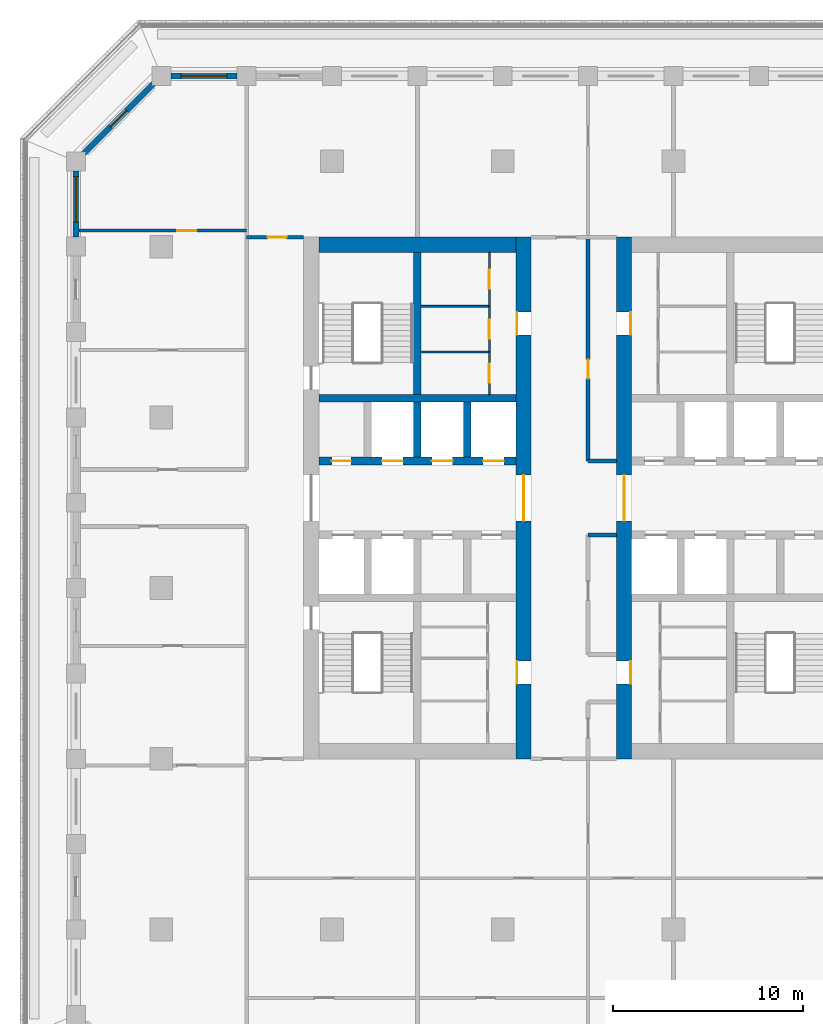
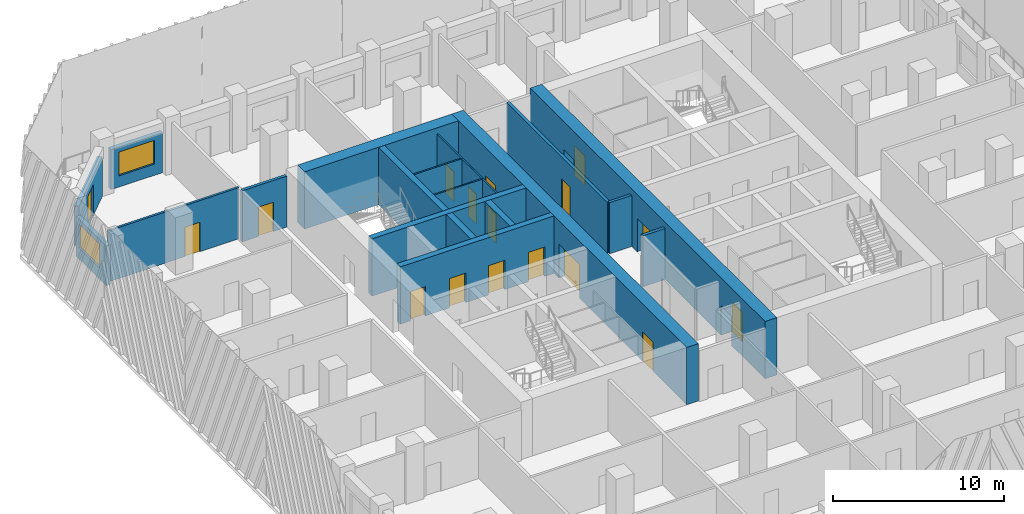
# One storey, part 6 of 17: 21 walls, 17 doors, 2 windows, 19 openings.
"""IFC4 building model written with IfcOpenShell, lengths in metres."""

from ifc_helpers import new_model, si_unit, direction, frame, frame_2d, origin, place, context, subcontext, project, spatial, rectangle, extrude, material, layer, layer_set, type_object, element, fill, save


model = new_model("IFC4")

# Units and contexts
model_context = context("Model", 3, precision=1e-05, world=origin(), true_north=direction((0.0, 1.0)))
body_context = subcontext(model_context, "Body", "Model", "MODEL_VIEW")
ifc_project = project(units=[si_unit("LENGTHUNIT", "METRE"), si_unit("AREAUNIT", "SQUARE_METRE"), si_unit("VOLUMEUNIT", "CUBIC_METRE"), si_unit("PLANEANGLEUNIT", "RADIAN"), si_unit("MASSUNIT", "GRAM", prefix="KILO")], contexts=[model_context])

# Site, building, storey
site_placement = place(None, origin())
site = spatial("IfcSite", under=ifc_project, at=site_placement, CompositionType="ELEMENT")
building_placement = place(site_placement, origin())
building = spatial("IfcBuilding", under=site, at=building_placement, Name="Corbel Stack Research Tower", CompositionType="ELEMENT")
storey_placement = place(building_placement, frame((0.0, 0.0, 207.89990234375)))
storey = spatial("IfcBuildingStorey", under=building, at=storey_placement, Name="L47", CompositionType="ELEMENT", Elevation=207.89990234375)

# Wall, openings, doors
ifc_material_1 = material(Name="Concrete C60/75", Category="concrete")
ifc_layer_1 = layer(ifc_material_1, 0.39990234375)
ifc_layer_set_1 = layer_set([ifc_layer_1], Name="Concrete C60/75")
wall_type_1 = type_object("IfcWallType", Name="CW-400-60", PredefinedType="SHEAR", material=ifc_layer_set_1)
wall_1_placement = place(storey_placement, frame((-9.699951171875, 6.699951171875, 0.0), z_axis=(0.0, 0.0, 1.0), x_axis=(1.0, 0.0, 0.0)))
wall_1 = element("IfcWall", 1, at=wall_1_placement, inside=storey, type_object=wall_type_1, Name="West core wall, lobby north L47", PredefinedType="SHEAR", context=body_context, shape_type="SweptSolid", body=[
    extrude(rectangle(XDim=10.39990234375, YDim=0.39990234375, at=frame_2d((5.199951171875, 0.0))), origin(), (0.0, 0.0, 1.0), 4.10009765625),
])
opening_1_placement = place(wall_1_placement, frame((3.33740234375, 0.0, 0.0)))
opening_1 = element("IfcOpeningElement", 2, at=opening_1_placement, cuts=wall_1, Name="Opening LD-HR1", PredefinedType="OPENING", context=body_context, shape_type="SweptSolid", body=[
    extrude(rectangle(XDim=1.10009765625, YDim=2.10009765625, at=frame_2d((0.550048828125, 1.050048828125))), frame((0.0, 0.2099609375, 0.0), z_axis=(0.0, -1.0, 0.0), x_axis=(1.0, 0.0, 0.0)), (0.0, 0.0, 1.0), 0.419921875),
])
opening_2_placement = place(wall_1_placement, frame((5.96240234375, 0.0, 0.0)))
opening_2 = element("IfcOpeningElement", 3, at=opening_2_placement, cuts=wall_1, Name="Opening LD-HR2", PredefinedType="OPENING", context=body_context, shape_type="SweptSolid", body=[
    extrude(rectangle(XDim=1.10009765625, YDim=2.10009765625, at=frame_2d((0.550048828125, 1.050048828125))), frame((0.0, 0.2099609375, 0.0), z_axis=(0.0, -1.0, 0.0), x_axis=(1.0, 0.0, 0.0)), (0.0, 0.0, 1.0), 0.419921875),
])
opening_3_placement = place(wall_1_placement, frame((8.66259765625, 0.0, 0.0)))
opening_3 = element("IfcOpeningElement", 4, at=opening_3_placement, cuts=wall_1, Name="Opening LD-HR3", PredefinedType="OPENING", context=body_context, shape_type="SweptSolid", body=[
    extrude(rectangle(XDim=1.10009765625, YDim=2.10009765625, at=frame_2d((0.550048828125, 1.050048828125))), frame((0.0, 0.2099609375, 0.0), z_axis=(0.0, -1.0, 0.0), x_axis=(1.0, 0.0, 0.0)), (0.0, 0.0, 1.0), 0.419921875),
])
opening_4_placement = place(wall_1_placement, frame((0.6875, 0.0, 0.0)))
opening_4 = element("IfcOpeningElement", 5, at=opening_4_placement, cuts=wall_1, Name="Opening CR-W42-N1", PredefinedType="OPENING", context=body_context, shape_type="SweptSolid", body=[
    extrude(rectangle(XDim=1.0, YDim=2.10009765625, at=frame_2d((0.5, 1.050048828125))), frame((0.0, 0.2099609375, 0.0), z_axis=(0.0, -1.0, 0.0), x_axis=(1.0, 0.0, 0.0)), (0.0, 0.0, 1.0), 0.419921875),
])
ifc_material_2 = material(Name="Stainless steel landing door", Category="steel")
door_type_1 = type_object("IfcDoorType", Name="Lift landing door 1100 x 2100", OperationType="DOUBLE_DOOR_SLIDING", PredefinedType="DOOR", material=ifc_material_2)
door_1_placement = place(opening_1_placement, origin())
door_1 = element("IfcDoor", 6, at=door_1_placement, inside=storey, type_object=door_type_1, Name="Landing door HR1", OperationType="DOUBLE_DOOR_SLIDING", OverallHeight=2.10009765625, OverallWidth=1.10009765625, PredefinedType="DOOR", context=body_context, shape_type="SweptSolid", body=[
    extrude(rectangle(XDim=1.10009765625, YDim=2.10009765625, at=frame_2d((0.550048828125, 1.050048828125))), frame((0.0, 0.02490234375, 0.0), z_axis=(0.0, -1.0, 0.0), x_axis=(1.0, 0.0, 0.0)), (0.0, 0.0, 1.0), 0.050048828125),
])
fill(opening_1, door_1)
door_2_placement = place(opening_2_placement, origin())
door_2 = element("IfcDoor", 7, at=door_2_placement, inside=storey, type_object=door_type_1, Name="Landing door HR2", OperationType="DOUBLE_DOOR_SLIDING", OverallHeight=2.10009765625, OverallWidth=1.10009765625, PredefinedType="DOOR", context=body_context, shape_type="SweptSolid", body=[
    extrude(rectangle(XDim=1.10009765625, YDim=2.10009765625, at=frame_2d((0.550048828125, 1.050048828125))), frame((0.0, 0.02490234375, 0.0), z_axis=(0.0, -1.0, 0.0), x_axis=(1.0, 0.0, 0.0)), (0.0, 0.0, 1.0), 0.050048828125),
])
fill(opening_2, door_2)
door_3_placement = place(opening_3_placement, origin())
door_3 = element("IfcDoor", 8, at=door_3_placement, inside=storey, type_object=door_type_1, Name="Landing door HR3", OperationType="DOUBLE_DOOR_SLIDING", OverallHeight=2.10009765625, OverallWidth=1.10009765625, PredefinedType="DOOR", context=body_context, shape_type="SweptSolid", body=[
    extrude(rectangle(XDim=1.10009765625, YDim=2.10009765625, at=frame_2d((0.550048828125, 1.050048828125))), frame((0.0, 0.02490234375, 0.0), z_axis=(0.0, -1.0, 0.0), x_axis=(1.0, 0.0, 0.0)), (0.0, 0.0, 1.0), 0.050048828125),
])
fill(opening_3, door_3)
ifc_material_3 = material(Name="Painted steel door", Category="steel")
door_type_2 = type_object("IfcDoorType", Name="Service door 1000 x 2100 FD60 left hand", OperationType="SINGLE_SWING_LEFT", PredefinedType="DOOR", material=ifc_material_3)
door_4_placement = place(opening_4_placement, origin())
door_4 = element("IfcDoor", 9, at=door_4_placement, inside=storey, type_object=door_type_2, Name="Vending bay door W core", OperationType="SINGLE_SWING_LEFT", OverallHeight=2.10009765625, OverallWidth=1.0, PredefinedType="DOOR", context=body_context, shape_type="SweptSolid", body=[
    extrude(rectangle(XDim=1.0, YDim=2.10009765625, at=frame_2d((0.5, 1.050048828125))), frame((0.0, 0.02490234375, 0.0), z_axis=(0.0, -1.0, 0.0), x_axis=(1.0, 0.0, 0.0)), (0.0, 0.0, 1.0), 0.050048828125),
])
fill(opening_4, door_4)

# Walls
wall_2_placement = place(storey_placement, frame((-9.699951171875, 10.0, 0.0), z_axis=(0.0, 0.0, 1.0), x_axis=(1.0, 0.0, 0.0)))
element("IfcWall", 10, at=wall_2_placement, inside=storey, type_object=wall_type_1, Name="West core wall, north row back L47", PredefinedType="SHEAR", context=body_context, shape_type="SweptSolid", body=[
    extrude(rectangle(XDim=10.39990234375, YDim=0.39990234375, at=frame_2d((5.199951171875, 0.0))), origin(), (0.0, 0.0, 1.0), 4.10009765625),
])
for number, where, z_axis, x_axis, name in (
    (11, (-4.5, 6.89990234375, 0.0), (0.0, 0.0, 1.0), (0.0, 1.0, 0.0), "West core wall, north shaft 2 L47"),
    (12, (-1.875, 6.89990234375, 0.0), (0.0, 0.0, 1.0), (0.0, 1.0, 0.0), "West core wall, north shaft 3 L47"),
):
    element("IfcWall", number, at=place(storey_placement, frame(where, z_axis=z_axis, x_axis=x_axis)), inside=storey, type_object=wall_type_1, Name=name, PredefinedType="SHEAR", context=body_context, shape_type="SweptSolid", body=[
        extrude(rectangle(XDim=2.900146484375, YDim=0.39990234375, at=frame_2d((1.4501953125, 0.0))), origin(), (0.0, 0.0, 1.0), 4.10009765625),
    ])
wall_3_placement = place(storey_placement, frame((-4.5, 10.199951171875, 0.0), z_axis=(0.0, 0.0, 1.0), x_axis=(0.0, 1.0, 0.0)))
element("IfcWall", 13, at=wall_3_placement, inside=storey, type_object=wall_type_1, Name="West core wall, north stair and riser L47", PredefinedType="SHEAR", context=body_context, shape_type="SweptSolid", body=[
    extrude(rectangle(XDim=7.5, YDim=0.39990234375, at=frame_2d((3.75, 0.0))), origin(), (0.0, 0.0, 1.0), 4.10009765625),
])

# Wall, openings, doors
ifc_material_4 = material(Name="Concrete C60/75", Category="concrete")
ifc_layer_2 = layer(ifc_material_4, 0.800048828125)
ifc_layer_set_2 = layer_set([ifc_layer_2], Name="Concrete C60/75")
wall_type_2 = type_object("IfcWallType", Name="CW-800-60", PredefinedType="SHEAR", material=ifc_layer_set_2)
wall_4_placement = place(storey_placement, frame((1.10009765625, -9.0, 0.0), z_axis=(0.0, 0.0, 1.0), x_axis=(0.0, 1.0, 0.0)))
wall_4 = element("IfcWall", 14, at=wall_4_placement, inside=storey, type_object=wall_type_2, Name="West core wall, east face L47", PredefinedType="SHEAR", context=body_context, shape_type="SweptSolid", body=[
    extrude(rectangle(XDim=27.5, YDim=0.800048828125, at=frame_2d((13.75, 0.0))), origin(), (0.0, 0.0, 1.0), 4.10009765625),
])
opening_5_placement = place(wall_4_placement, frame((12.550048828125, 0.0, 0.0)))
opening_5 = element("IfcOpeningElement", 15, at=opening_5_placement, cuts=wall_4, Name="Opening CD-W-E", PredefinedType="OPENING", context=body_context, shape_type="SweptSolid", body=[
    extrude(rectangle(XDim=2.39990234375, YDim=2.39990234375, at=frame_2d((1.199951171875, 1.199951171875))), frame((0.0, 0.409912109375, 0.0), z_axis=(0.0, -1.0, 0.0), x_axis=(1.0, 0.0, 0.0)), (0.0, 0.0, 1.0), 0.820068359375),
])
opening_6_placement = place(wall_4_placement, frame((3.949951171875, 0.0, 0.0)))
opening_6 = element("IfcOpeningElement", 16, at=opening_6_placement, cuts=wall_4, Name="Opening CR-W42-W1-1200", PredefinedType="OPENING", context=body_context, shape_type="SweptSolid", body=[
    extrude(rectangle(XDim=1.199951171875, YDim=2.10009765625, at=frame_2d((0.60009765625, 1.050048828125))), frame((0.0, 0.409912109375, 0.0), z_axis=(0.0, -1.0, 0.0), x_axis=(1.0, 0.0, 0.0)), (0.0, 0.0, 1.0), 0.820068359375),
])
opening_7_placement = place(wall_4_placement, frame((22.35009765625, 0.0, 0.0)))
opening_7 = element("IfcOpeningElement", 17, at=opening_7_placement, cuts=wall_4, Name="Opening CR-W42-R1-1200", PredefinedType="OPENING", context=body_context, shape_type="SweptSolid", body=[
    extrude(rectangle(XDim=1.199951171875, YDim=2.10009765625, at=frame_2d((0.60009765625, 1.050048828125))), frame((0.0, 0.409912109375, 0.0), z_axis=(0.0, -1.0, 0.0), x_axis=(1.0, 0.0, 0.0)), (0.0, 0.0, 1.0), 0.820068359375),
])
ifc_material_5 = material(Name="Painted steel fire door", Category="steel")
door_type_3 = type_object("IfcDoorType", Name="Lobby door pair 2400 x 2400 FD30S", OperationType="DOUBLE_DOOR_DOUBLE_SWING", PredefinedType="DOOR", material=ifc_material_5)
door_5_placement = place(opening_5_placement, origin())
door_5 = element("IfcDoor", 18, at=door_5_placement, inside=storey, type_object=door_type_3, Name="Lift lobby door W core E", OperationType="DOUBLE_DOOR_DOUBLE_SWING", OverallHeight=2.39990234375, OverallWidth=2.39990234375, PredefinedType="DOOR", context=body_context, shape_type="SweptSolid", body=[
    extrude(rectangle(XDim=2.39990234375, YDim=2.39990234375, at=frame_2d((1.199951171875, 1.199951171875))), frame((0.0, 0.02490234375, 0.0), z_axis=(0.0, -1.0, 0.0), x_axis=(1.0, 0.0, 0.0)), (0.0, 0.0, 1.0), 0.050048828125),
])
fill(opening_5, door_5)
ifc_material_6 = material(Name="Painted steel door", Category="steel")
door_type_4 = type_object("IfcDoorType", Name="Service door 1200 x 2100 FD30 left hand", OperationType="SINGLE_SWING_LEFT", PredefinedType="DOOR", material=ifc_material_6)
door_6_placement = place(opening_7_placement, origin())
door_6 = element("IfcDoor", 19, at=door_6_placement, inside=storey, type_object=door_type_4, Name="Service passage door W core", OperationType="SINGLE_SWING_LEFT", OverallHeight=2.10009765625, OverallWidth=1.199951171875, PredefinedType="DOOR", context=body_context, shape_type="SweptSolid", body=[
    extrude(rectangle(XDim=1.199951171875, YDim=2.10009765625, at=frame_2d((0.60009765625, 1.050048828125))), frame((0.0, 0.375, 0.0), z_axis=(0.0, -1.0, 0.0), x_axis=(1.0, 0.0, 0.0)), (0.0, 0.0, 1.0), 0.050048828125),
])
fill(opening_7, door_6)
ifc_material_7 = material(Name="Painted timber door", Category="wood")
door_type_5 = type_object("IfcDoorType", Name="WC door 1200 x 2100 left hand", OperationType="SINGLE_SWING_LEFT", PredefinedType="DOOR", material=ifc_material_7)
door_7_placement = place(opening_6_placement, origin())
door_7 = element("IfcDoor", 20, at=door_7_placement, inside=storey, type_object=door_type_5, Name="WC lobby door W core", OperationType="SINGLE_SWING_LEFT", OverallHeight=2.10009765625, OverallWidth=1.199951171875, PredefinedType="DOOR", context=body_context, shape_type="SweptSolid", body=[
    extrude(rectangle(XDim=1.199951171875, YDim=2.10009765625, at=frame_2d((0.60009765625, 1.050048828125))), frame((0.0, 0.375, 0.0), z_axis=(0.0, -1.0, 0.0), x_axis=(1.0, 0.0, 0.0)), (0.0, 0.0, 1.0), 0.050048828125),
])
fill(opening_6, door_7)

# Wall
wall_5_placement = place(storey_placement, frame((-9.699951171875, 18.10009765625, 0.0), z_axis=(0.0, 0.0, 1.0), x_axis=(1.0, 0.0, 0.0)))
element("IfcWall", 21, at=wall_5_placement, inside=storey, type_object=wall_type_2, Name="West core wall, north end L47", PredefinedType="SHEAR", context=body_context, shape_type="SweptSolid", body=[
    extrude(rectangle(XDim=10.39990234375, YDim=0.800048828125, at=frame_2d((5.199951171875, 0.0))), origin(), (0.0, 0.0, 1.0), 4.10009765625),
])

# Wall, openings, doors
wall_6_placement = place(storey_placement, frame((6.39990234375, -9.0, 0.0), z_axis=(0.0, 0.0, 1.0), x_axis=(0.0, 1.0, 0.0)))
wall_6 = element("IfcWall", 22, at=wall_6_placement, inside=storey, type_object=wall_type_2, Name="East core wall, west face L47", PredefinedType="SHEAR", context=body_context, shape_type="SweptSolid", body=[
    extrude(rectangle(XDim=27.5, YDim=0.800048828125, at=frame_2d((13.75, 0.0))), origin(), (0.0, 0.0, 1.0), 4.10009765625),
])
opening_8_placement = place(wall_6_placement, frame((12.550048828125, 0.0, 0.0)))
opening_8 = element("IfcOpeningElement", 23, at=opening_8_placement, cuts=wall_6, Name="Opening CD-E-W", PredefinedType="OPENING", context=body_context, shape_type="SweptSolid", body=[
    extrude(rectangle(XDim=2.39990234375, YDim=2.39990234375, at=frame_2d((1.199951171875, 1.199951171875))), frame((0.0, 0.409912109375, 0.0), z_axis=(0.0, -1.0, 0.0), x_axis=(1.0, 0.0, 0.0)), (0.0, 0.0, 1.0), 0.820068359375),
])
opening_9_placement = place(wall_6_placement, frame((3.949951171875, 0.0, 0.0)))
opening_9 = element("IfcOpeningElement", 24, at=opening_9_placement, cuts=wall_6, Name="Opening CR-E42-W1-1200", PredefinedType="OPENING", context=body_context, shape_type="SweptSolid", body=[
    extrude(rectangle(XDim=1.199951171875, YDim=2.10009765625, at=frame_2d((0.60009765625, 1.050048828125))), frame((0.0, 0.409912109375, 0.0), z_axis=(0.0, -1.0, 0.0), x_axis=(1.0, 0.0, 0.0)), (0.0, 0.0, 1.0), 0.820068359375),
])
opening_10_placement = place(wall_6_placement, frame((22.35009765625, 0.0, 0.0)))
opening_10 = element("IfcOpeningElement", 25, at=opening_10_placement, cuts=wall_6, Name="Opening CR-E42-R1-1200", PredefinedType="OPENING", context=body_context, shape_type="SweptSolid", body=[
    extrude(rectangle(XDim=1.199951171875, YDim=2.10009765625, at=frame_2d((0.60009765625, 1.050048828125))), frame((0.0, 0.409912109375, 0.0), z_axis=(0.0, -1.0, 0.0), x_axis=(1.0, 0.0, 0.0)), (0.0, 0.0, 1.0), 0.820068359375),
])
door_8_placement = place(opening_8_placement, origin())
door_8 = element("IfcDoor", 26, at=door_8_placement, inside=storey, type_object=door_type_3, Name="Lift lobby door E core W", OperationType="DOUBLE_DOOR_DOUBLE_SWING", OverallHeight=2.39990234375, OverallWidth=2.39990234375, PredefinedType="DOOR", context=body_context, shape_type="SweptSolid", body=[
    extrude(rectangle(XDim=2.39990234375, YDim=2.39990234375, at=frame_2d((1.199951171875, 1.199951171875))), frame((0.0, 0.02490234375, 0.0), z_axis=(0.0, -1.0, 0.0), x_axis=(1.0, 0.0, 0.0)), (0.0, 0.0, 1.0), 0.050048828125),
])
fill(opening_8, door_8)
ifc_material_8 = material(Name="Painted steel door", Category="steel")
door_type_6 = type_object("IfcDoorType", Name="Service door 1200 x 2100 FD30 right hand", OperationType="SINGLE_SWING_RIGHT", PredefinedType="DOOR", material=ifc_material_8)
door_9_placement = place(opening_10_placement, origin())
door_9 = element("IfcDoor", 27, at=door_9_placement, inside=storey, type_object=door_type_6, Name="Service passage door E core", OperationType="SINGLE_SWING_RIGHT", OverallHeight=2.10009765625, OverallWidth=1.199951171875, PredefinedType="DOOR", context=body_context, shape_type="SweptSolid", body=[
    extrude(rectangle(XDim=1.199951171875, YDim=2.10009765625, at=frame_2d((0.60009765625, 1.050048828125))), frame((0.0, -0.3251953125, 0.0), z_axis=(0.0, -1.0, 0.0), x_axis=(1.0, 0.0, 0.0)), (0.0, 0.0, 1.0), 0.050048828125),
])
fill(opening_10, door_9)
ifc_material_9 = material(Name="Painted timber door", Category="wood")
door_type_7 = type_object("IfcDoorType", Name="WC door 1200 x 2100 right hand", OperationType="SINGLE_SWING_RIGHT", PredefinedType="DOOR", material=ifc_material_9)
door_10_placement = place(opening_9_placement, origin())
door_10 = element("IfcDoor", 28, at=door_10_placement, inside=storey, type_object=door_type_7, Name="WC lobby door E core", OperationType="SINGLE_SWING_RIGHT", OverallHeight=2.10009765625, OverallWidth=1.199951171875, PredefinedType="DOOR", context=body_context, shape_type="SweptSolid", body=[
    extrude(rectangle(XDim=1.199951171875, YDim=2.10009765625, at=frame_2d((0.60009765625, 1.050048828125))), frame((0.0, -0.3251953125, 0.0), z_axis=(0.0, -1.0, 0.0), x_axis=(1.0, 0.0, 0.0)), (0.0, 0.0, 1.0), 0.050048828125),
])
fill(opening_9, door_10)

# Wall, opening, door
ifc_material_10 = material(Name="Gypsum board")
ifc_layer_3 = layer(ifc_material_10, 0.10009765625)
ifc_layer_set_3 = layer_set([ifc_layer_3], Name="Gypsum board")
wall_type_3 = type_object("IfcWallType", Name="Core partition 100", PredefinedType="PARTITIONING", material=ifc_layer_set_3)
wall_7_placement = place(storey_placement, frame((-0.699951171875, 10.199951171875, 0.0), z_axis=(0.0, 0.0, 1.0), x_axis=(0.0, 1.0, 0.0)))
wall_7 = element("IfcWall", 29, at=wall_7_placement, inside=storey, type_object=wall_type_3, Name="Core partition W", PredefinedType="PARTITIONING", context=body_context, shape_type="SweptSolid", body=[
    extrude(rectangle(XDim=2.25, YDim=0.10009765625, at=frame_2d((1.125, 0.0))), origin(), (0.0, 0.0, 1.0), 3.650146484375),
])
opening_11_placement = place(wall_7_placement, frame((0.625, 0.0, 0.0)))
opening_11 = element("IfcOpeningElement", 30, at=opening_11_placement, cuts=wall_7, Name="Opening CR-W42-R2-1000", PredefinedType="OPENING", context=body_context, shape_type="SweptSolid", body=[
    extrude(rectangle(XDim=1.0, YDim=2.10009765625, at=frame_2d((0.5, 1.050048828125))), frame((0.0, 0.06005859375, 0.0), z_axis=(0.0, -1.0, 0.0), x_axis=(1.0, 0.0, 0.0)), (0.0, 0.0, 1.0), 0.1201171875),
])
ifc_material_11 = material(Name="Painted steel door", Category="steel")
door_type_8 = type_object("IfcDoorType", Name="Riser door 1000 x 2100 FD60 right hand", OperationType="SINGLE_SWING_RIGHT", PredefinedType="DOOR", material=ifc_material_11)
door_11_placement = place(opening_11_placement, origin())
door_11 = element("IfcDoor", 31, at=door_11_placement, inside=storey, type_object=door_type_8, Name="Mechanical riser door W core", OperationType="SINGLE_SWING_RIGHT", OverallHeight=2.10009765625, OverallWidth=1.0, PredefinedType="DOOR", context=body_context, shape_type="SweptSolid", body=[
    extrude(rectangle(XDim=1.0, YDim=2.10009765625, at=frame_2d((0.5, 1.050048828125))), frame((0.0, 0.02490234375, 0.0), z_axis=(0.0, -1.0, 0.0), x_axis=(1.0, 0.0, 0.0)), (0.0, 0.0, 1.0), 0.050048828125),
])
fill(opening_11, door_11)

wall_8_placement = place(storey_placement, frame((-0.699951171875, 12.449951171875, 0.0), z_axis=(0.0, 0.0, 1.0), x_axis=(0.0, 1.0, 0.0)))
wall_8 = element("IfcWall", 32, at=wall_8_placement, inside=storey, type_object=wall_type_3, Name="Core partition W", PredefinedType="PARTITIONING", context=body_context, shape_type="SweptSolid", body=[
    extrude(rectangle(XDim=2.400146484375, YDim=0.10009765625, at=frame_2d((1.2001953125, 0.0))), origin(), (0.0, 0.0, 1.0), 3.650146484375),
])
opening_12_placement = place(wall_8_placement, frame((0.699951171875, 0.0, 0.0)))
opening_12 = element("IfcOpeningElement", 33, at=opening_12_placement, cuts=wall_8, Name="Opening CR-W42-R3-1000", PredefinedType="OPENING", context=body_context, shape_type="SweptSolid", body=[
    extrude(rectangle(XDim=1.0, YDim=2.10009765625, at=frame_2d((0.5, 1.050048828125))), frame((0.0, 0.06005859375, 0.0), z_axis=(0.0, -1.0, 0.0), x_axis=(1.0, 0.0, 0.0)), (0.0, 0.0, 1.0), 0.1201171875),
])
ifc_material_12 = material(Name="Painted steel door", Category="steel")
door_type_9 = type_object("IfcDoorType", Name="Service door 1000 x 2100 FD30 left hand", OperationType="SINGLE_SWING_LEFT", PredefinedType="DOOR", material=ifc_material_12)
door_12_placement = place(opening_12_placement, origin())
door_12 = element("IfcDoor", 34, at=door_12_placement, inside=storey, type_object=door_type_9, Name="Pantry door W core", OperationType="SINGLE_SWING_LEFT", OverallHeight=2.10009765625, OverallWidth=1.0, PredefinedType="DOOR", context=body_context, shape_type="SweptSolid", body=[
    extrude(rectangle(XDim=1.0, YDim=2.10009765625, at=frame_2d((0.5, 1.050048828125))), frame((0.0, 0.02490234375, 0.0), z_axis=(0.0, -1.0, 0.0), x_axis=(1.0, 0.0, 0.0)), (0.0, 0.0, 1.0), 0.050048828125),
])
fill(opening_12, door_12)

wall_9_placement = place(storey_placement, frame((-0.699951171875, 14.85009765625, 0.0), z_axis=(0.0, 0.0, 1.0), x_axis=(0.0, 1.0, 0.0)))
wall_9 = element("IfcWall", 35, at=wall_9_placement, inside=storey, type_object=wall_type_3, Name="Core partition W", PredefinedType="PARTITIONING", context=body_context, shape_type="SweptSolid", body=[
    extrude(rectangle(XDim=2.849853515625, YDim=0.10009765625, at=frame_2d((1.4248046875, 0.0))), origin(), (0.0, 0.0, 1.0), 3.650146484375),
])
opening_13_placement = place(wall_9_placement, frame((0.925048828125, 0.0, 0.0)))
opening_13 = element("IfcOpeningElement", 36, at=opening_13_placement, cuts=wall_9, Name="Opening CR-W42-R4-1000", PredefinedType="OPENING", context=body_context, shape_type="SweptSolid", body=[
    extrude(rectangle(XDim=1.0, YDim=2.10009765625, at=frame_2d((0.5, 1.050048828125))), frame((0.0, 0.06005859375, 0.0), z_axis=(0.0, -1.0, 0.0), x_axis=(1.0, 0.0, 0.0)), (0.0, 0.0, 1.0), 0.1201171875),
])
door_13_placement = place(opening_13_placement, origin())
door_13 = element("IfcDoor", 37, at=door_13_placement, inside=storey, type_object=door_type_8, Name="Electrical riser door W core", OperationType="SINGLE_SWING_RIGHT", OverallHeight=2.10009765625, OverallWidth=1.0, PredefinedType="DOOR", context=body_context, shape_type="SweptSolid", body=[
    extrude(rectangle(XDim=1.0, YDim=2.10009765625, at=frame_2d((0.5, 1.050048828125))), frame((0.0, 0.02490234375, 0.0), z_axis=(0.0, -1.0, 0.0), x_axis=(1.0, 0.0, 0.0)), (0.0, 0.0, 1.0), 0.050048828125),
])
fill(opening_13, door_13)

# Walls
for number, where, z_axis, x_axis, name in (
    (38, (-4.300048828125, 12.449951171875, 0.0), (0.0, 0.0, 1.0), (1.0, 0.0, 0.0), "Core partition W"),
    (39, (-4.300048828125, 14.85009765625, 0.0), (0.0, 0.0, 1.0), (1.0, 0.0, 0.0), "Core partition W"),
):
    element("IfcWall", number, at=place(storey_placement, frame(where, z_axis=z_axis, x_axis=x_axis)), inside=storey, type_object=wall_type_3, Name=name, PredefinedType="PARTITIONING", context=body_context, shape_type="SweptSolid", body=[
        extrude(rectangle(XDim=3.60009765625, YDim=0.10009765625, at=frame_2d((1.800048828125, 0.0))), origin(), (0.0, 0.0, 1.0), 3.650146484375),
    ])

# Wall, opening, door
ifc_material_13 = material(Name="Fire-rated gypsum board partition on steel studs", Category="steel")
ifc_layer_4 = layer(ifc_material_13, 0.199951171875)
ifc_layer_set_4 = layer_set([ifc_layer_4], Name="Fire-rated gypsum board partition on steel studs")
wall_type_4 = type_object("IfcWallType", Name="Fire-rated partition 200 EI 60", PredefinedType="PARTITIONING", material=ifc_layer_set_4)
wall_10_placement = place(storey_placement, frame((4.5, 18.5, 0.0), z_axis=(0.0, 0.0, 1.0), x_axis=(0.0, -1.0, 0.0)))
wall_10 = element("IfcWall", 40, at=wall_10_placement, inside=storey, type_object=wall_type_4, Name="Partition L47-009", PredefinedType="PARTITIONING", context=body_context, shape_type="SweptSolid", body=[
    extrude(rectangle(XDim=11.800048828125, YDim=0.199951171875, at=frame_2d((5.89990234375, 0.0))), origin(), (0.0, 0.0, 1.0), 3.650146484375),
])
opening_14_placement = place(wall_10_placement, frame((6.449951171875, 0.0, 0.0)))
opening_14 = element("IfcOpeningElement", 41, at=opening_14_placement, cuts=wall_10, Name="Opening B6V1-021", PredefinedType="OPENING", context=body_context, shape_type="SweptSolid", body=[
    extrude(rectangle(XDim=1.0, YDim=2.10009765625, at=frame_2d((0.5, 1.050048828125))), frame((0.0, 0.10986328125, 0.0), z_axis=(0.0, -1.0, 0.0), x_axis=(1.0, 0.0, 0.0)), (0.0, 0.0, 1.0), 0.219970703125),
])
ifc_material_14 = material(Name="Painted steel fire door", Category="steel")
door_type_10 = type_object("IfcDoorType", Name="Fire door FD30S 1000 x 2100", OperationType="NOTDEFINED", PredefinedType="DOOR", material=ifc_material_14)
door_14_placement = place(opening_14_placement, origin())
door_14 = element("IfcDoor", 42, at=door_14_placement, inside=storey, type_object=door_type_10, Name="Door B6V1-021", OperationType="SINGLE_SWING_RIGHT", OverallHeight=2.10009765625, OverallWidth=1.0, PredefinedType="DOOR", context=body_context, shape_type="SweptSolid", body=[
    extrude(rectangle(XDim=1.0, YDim=2.10009765625, at=frame_2d((0.5, 1.050048828125))), frame((0.0, 0.02490234375, 0.0), z_axis=(0.0, -1.0, 0.0), x_axis=(1.0, 0.0, 0.0)), (0.0, 0.0, 1.0), 0.050048828125),
])
fill(opening_14, door_14)

# Walls
for number, where, z_axis, x_axis, name in (
    (43, (4.5, 2.800048828125, 0.0), (0.0, 0.0, 1.0), (1.0, 0.0, 0.0), "Partition L47-030"),
    (44, (4.5, 6.699951171875, 0.0), (0.0, 0.0, 1.0), (1.0, 0.0, 0.0), "Partition L47-035"),
):
    element("IfcWall", number, at=place(storey_placement, frame(where, z_axis=z_axis, x_axis=x_axis)), inside=storey, type_object=wall_type_4, Name=name, PredefinedType="PARTITIONING", context=body_context, shape_type="SweptSolid", body=[
        extrude(rectangle(XDim=1.5, YDim=0.199951171875, at=frame_2d((0.75, 0.0))), origin(), (0.0, 0.0, 1.0), 3.650146484375),
    ])

# Wall, opening, door
wall_11_placement = place(storey_placement, frame((-13.5, 18.5, 0.0), z_axis=(0.0, 0.0, 1.0), x_axis=(1.0, 0.0, 0.0)))
wall_11 = element("IfcWall", 45, at=wall_11_placement, inside=storey, type_object=wall_type_4, Name="Partition L47-038", PredefinedType="PARTITIONING", context=body_context, shape_type="SweptSolid", body=[
    extrude(rectangle(XDim=3.0, YDim=0.199951171875, at=frame_2d((1.5, 0.0))), origin(), (0.0, 0.0, 1.0), 3.650146484375),
])
opening_15_placement = place(wall_11_placement, frame((1.10009765625, 0.0, 0.0)))
opening_15 = element("IfcOpeningElement", 46, at=opening_15_placement, cuts=wall_11, Name="Opening B6V1-027", PredefinedType="OPENING", context=body_context, shape_type="SweptSolid", body=[
    extrude(rectangle(XDim=1.0, YDim=2.10009765625, at=frame_2d((0.5, 1.050048828125))), frame((0.0, 0.10986328125, 0.0), z_axis=(0.0, -1.0, 0.0), x_axis=(1.0, 0.0, 0.0)), (0.0, 0.0, 1.0), 0.219970703125),
])
door_15_placement = place(opening_15_placement, origin())
door_15 = element("IfcDoor", 47, at=door_15_placement, inside=storey, type_object=door_type_10, Name="Door B6V1-027", OperationType="SINGLE_SWING_RIGHT", OverallHeight=2.10009765625, OverallWidth=1.0, PredefinedType="DOOR", context=body_context, shape_type="SweptSolid", body=[
    extrude(rectangle(XDim=1.0, YDim=2.10009765625, at=frame_2d((0.5, 1.050048828125))), frame((0.0, 0.02490234375, 0.0), z_axis=(0.0, -1.0, 0.0), x_axis=(1.0, 0.0, 0.0)), (0.0, 0.0, 1.0), 0.050048828125),
])
fill(opening_15, door_15)

ifc_material_15 = material(Name="Gypsum board partition on steel studs", Category="steel")
ifc_layer_5 = layer(ifc_material_15, 0.14990234375)
ifc_layer_set_5 = layer_set([ifc_layer_5], Name="Gypsum board partition on steel studs")
wall_type_5 = type_object("IfcWallType", Name="Partition 150", PredefinedType="PARTITIONING", material=ifc_layer_set_5)
wall_12_placement = place(storey_placement, frame((-22.35009765625, 18.85009765625, 0.0), z_axis=(0.0, 0.0, 1.0), x_axis=(1.0, 0.0, 0.0)))
wall_12 = element("IfcWall", 48, at=wall_12_placement, inside=storey, type_object=wall_type_5, Name="Partition L47-041", PredefinedType="PARTITIONING", context=body_context, shape_type="SweptSolid", body=[
    extrude(rectangle(XDim=8.85009765625, YDim=0.14990234375, at=frame_2d((4.425048828125, 0.0))), origin(), (0.0, 0.0, 1.0), 3.650146484375),
])
opening_16_placement = place(wall_12_placement, frame((5.199951171875, 0.0, 0.0)))
opening_16 = element("IfcOpeningElement", 49, at=opening_16_placement, cuts=wall_12, Name="Opening B6V1-030", PredefinedType="OPENING", context=body_context, shape_type="SweptSolid", body=[
    extrude(rectangle(XDim=1.0, YDim=2.10009765625, at=frame_2d((0.5, 1.050048828125))), frame((0.0, 0.0849609375, 0.0), z_axis=(0.0, -1.0, 0.0), x_axis=(1.0, 0.0, 0.0)), (0.0, 0.0, 1.0), 0.169921875),
])
ifc_material_16 = material(Name="Painted timber door", Category="wood")
door_type_11 = type_object("IfcDoorType", Name="Single door 1000 x 2100", OperationType="NOTDEFINED", PredefinedType="DOOR", material=ifc_material_16)
door_16_placement = place(opening_16_placement, origin())
door_16 = element("IfcDoor", 50, at=door_16_placement, inside=storey, type_object=door_type_11, Name="Door B6V1-030", OperationType="SINGLE_SWING_RIGHT", OverallHeight=2.10009765625, OverallWidth=1.0, PredefinedType="DOOR", context=body_context, shape_type="SweptSolid", body=[
    extrude(rectangle(XDim=1.0, YDim=2.10009765625, at=frame_2d((0.5, 1.050048828125))), frame((0.0, 0.02490234375, 0.0), z_axis=(0.0, -1.0, 0.0), x_axis=(1.0, 0.0, 0.0)), (0.0, 0.0, 1.0), 0.050048828125),
])
fill(opening_16, door_16)

# Wall, opening, window
ifc_material_17 = material(Name="Concrete C45/55", Category="concrete")
ifc_layer_6 = layer(ifc_material_17, 0.300048828125)
ifc_layer_set_6 = layer_set([ifc_layer_6], Name="Concrete C45/55")
wall_type_6 = type_object("IfcWallType", Name="Terracotta-faced concrete wall 300", PredefinedType="SOLIDWALL", material=ifc_layer_set_6)
wall_13_placement = place(storey_placement, frame((-17.5, 27.0, 0.0), z_axis=(0.0, 0.0, 1.0), x_axis=(1.0, 0.0, 0.0)))
wall_13 = element("IfcWall", 51, at=wall_13_placement, inside=storey, type_object=wall_type_6, Name="Facade wall L47 N10", PredefinedType="SOLIDWALL", context=body_context, shape_type="SweptSolid", body=[
    extrude(rectangle(XDim=3.5, YDim=0.300048828125, at=frame_2d((1.75, 0.0))), origin(), (0.0, 0.0, 1.0), 2.85009765625),
])
opening_17_placement = place(wall_13_placement, frame((0.550048828125, 0.0, 0.800048828125)))
opening_17 = element("IfcOpeningElement", 52, at=opening_17_placement, cuts=wall_13, Name="Opening W1", PredefinedType="OPENING", context=body_context, shape_type="SweptSolid", body=[
    extrude(rectangle(XDim=2.39990234375, YDim=1.699951171875, at=frame_2d((1.199951171875, 0.85009765625))), frame((0.0, 0.159912109375, 0.0), z_axis=(0.0, -1.0, 0.0), x_axis=(1.0, 0.0, 0.0)), (0.0, 0.0, 1.0), 0.320068359375),
])
ifc_material_18 = material(Name="Aluminium frame, clear double glazing", Category="aluminium")
window_type = type_object("IfcWindowType", Name="Window W1 2400 x 1700", PartitioningType="SINGLE_PANEL", PredefinedType="WINDOW", material=ifc_material_18)
window_1_placement = place(opening_17_placement, origin())
window_1 = element("IfcWindow", 53, at=window_1_placement, inside=storey, type_object=window_type, Name="Window W1 L47 N10", OverallHeight=1.699951171875, OverallWidth=2.39990234375, PartitioningType="SINGLE_PANEL", PredefinedType="WINDOW", context=body_context, shape_type="SweptSolid", body=[
    extrude(rectangle(XDim=2.39990234375, YDim=1.699951171875, at=frame_2d((1.199951171875, 0.85009765625))), frame((0.0, 0.030029296875, 0.0), z_axis=(0.0, -1.0, 0.0), x_axis=(1.0, 0.0, 0.0)), (0.0, 0.0, 1.0), 0.06005859375),
])
fill(opening_17, window_1)

# Wall, opening, door
wall_14_placement = place(storey_placement, frame((-22.106201171875, 22.893798828125, 0.0), z_axis=(0.0, 0.0, 1.0), x_axis=(0.707106781187, 0.707106781187, 0.0)))
wall_14 = element("IfcWall", 54, at=wall_14_placement, inside=storey, type_object=wall_type_6, Name="Facade wall L47 NW01", PredefinedType="SOLIDWALL", context=body_context, shape_type="SweptSolid", body=[
    extrude(rectangle(XDim=5.250244140625, YDim=0.300048828125, at=frame_2d((2.625, 0.0))), origin(), (0.0, 0.0, 1.0), 2.85009765625),
])
opening_18_placement = place(wall_14_placement, frame((2.02490234375, 0.0, 0.0)))
opening_18 = element("IfcOpeningElement", 55, at=opening_18_placement, cuts=wall_14, Name="Opening L47-B09", PredefinedType="OPENING", context=body_context, shape_type="SweptSolid", body=[
    extrude(rectangle(XDim=1.199951171875, YDim=2.199951171875, at=frame_2d((0.60009765625, 1.10009765625))), frame((0.0, 0.159912109375, 0.0), z_axis=(0.0, -1.0, 0.0), x_axis=(1.0, 0.0, 0.0)), (0.0, 0.0, 1.0), 0.320068359375),
])
ifc_material_19 = material(Name="Aluminium frame, clear double glazing", Category="aluminium")
door_type_12 = type_object("IfcDoorType", Name="Balcony door BD2 1200 x 2200", OperationType="NOTDEFINED", PredefinedType="DOOR", material=ifc_material_19)
door_17_placement = place(opening_18_placement, origin())
door_17 = element("IfcDoor", 56, at=door_17_placement, inside=storey, type_object=door_type_12, Name="Balcony door L47-B09", OperationType="SINGLE_SWING_RIGHT", OverallHeight=2.199951171875, OverallWidth=1.199951171875, PredefinedType="DOOR", context=body_context, shape_type="SweptSolid", body=[
    extrude(rectangle(XDim=1.199951171875, YDim=2.199951171875, at=frame_2d((0.60009765625, 1.10009765625))), frame((0.0, 0.02490234375, 0.0), z_axis=(0.0, -1.0, 0.0), x_axis=(1.0, 0.0, 0.0)), (0.0, 0.0, 1.0), 0.050048828125),
])
fill(opening_18, door_17)

# Wall, opening, window
wall_15_placement = place(storey_placement, frame((-22.5, 18.5, 0.0), z_axis=(0.0, 0.0, 1.0), x_axis=(0.0, 1.0, 0.0)))
wall_15 = element("IfcWall", 57, at=wall_15_placement, inside=storey, type_object=wall_type_6, Name="Facade wall L47 W01", PredefinedType="SOLIDWALL", context=body_context, shape_type="SweptSolid", body=[
    extrude(rectangle(XDim=3.5, YDim=0.300048828125, at=frame_2d((1.75, 0.0))), origin(), (0.0, 0.0, 1.0), 2.85009765625),
])
opening_19_placement = place(wall_15_placement, frame((0.78759765625, 0.0, 0.800048828125)))
opening_19 = element("IfcOpeningElement", 58, at=opening_19_placement, cuts=wall_15, Name="Opening W1", PredefinedType="OPENING", context=body_context, shape_type="SweptSolid", body=[
    extrude(rectangle(XDim=2.39990234375, YDim=1.699951171875, at=frame_2d((1.199951171875, 0.85009765625))), frame((0.0, 0.159912109375, 0.0), z_axis=(0.0, -1.0, 0.0), x_axis=(1.0, 0.0, 0.0)), (0.0, 0.0, 1.0), 0.320068359375),
])
window_2_placement = place(opening_19_placement, origin())
window_2 = element("IfcWindow", 59, at=window_2_placement, inside=storey, type_object=window_type, Name="Window W1 L47 W01", OverallHeight=1.699951171875, OverallWidth=2.39990234375, PartitioningType="SINGLE_PANEL", PredefinedType="WINDOW", context=body_context, shape_type="SweptSolid", body=[
    extrude(rectangle(XDim=2.39990234375, YDim=1.699951171875, at=frame_2d((1.199951171875, 0.85009765625))), frame((0.0, 0.030029296875, 0.0), z_axis=(0.0, -1.0, 0.0), x_axis=(1.0, 0.0, 0.0)), (0.0, 0.0, 1.0), 0.06005859375),
])
fill(opening_19, window_2)

save(model, "model.ifc")
